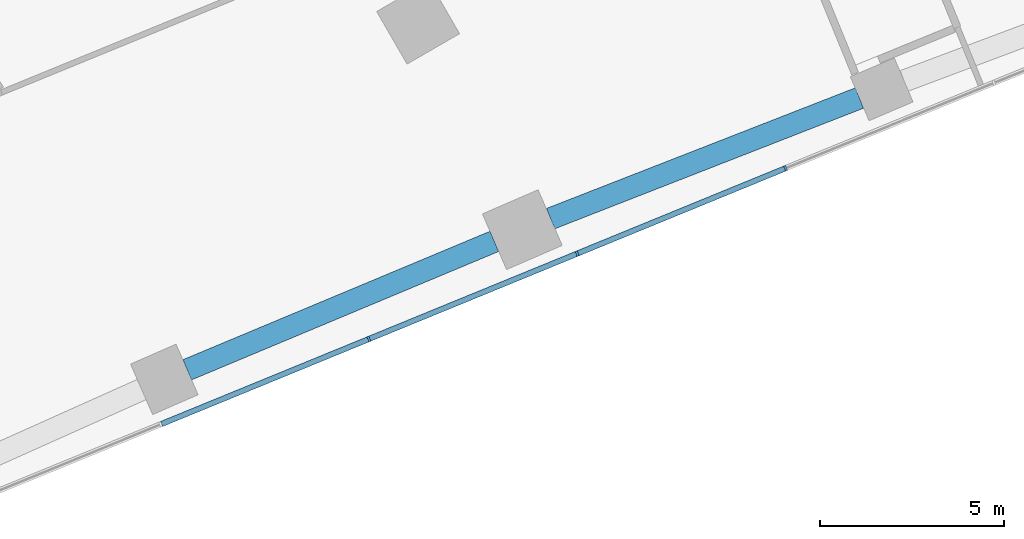
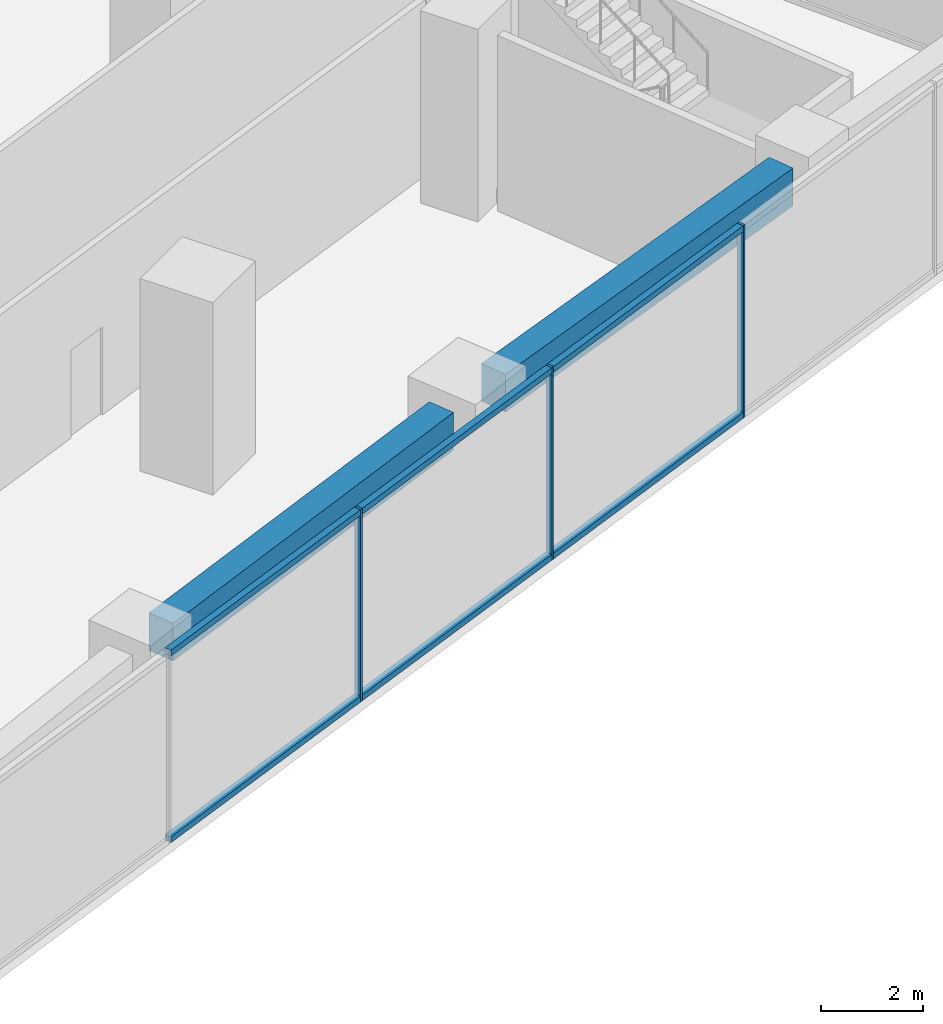
# One storey, part 10 of 39: 9 members, 2 beams, 1 element without a shape of its own.
"""IFC4 building model written with IfcOpenShell, lengths in metres."""

import ifcopenshell
import ifcopenshell.guid

model = None  # the IFC model being written
_history = None  # IfcOwnerHistory: only IFC2X3 demands one
_inside = {}  # id of a spatial element -> (the spatial element, [elements in it])
_under = {}  # id of a project, library or spatial element -> (it, [spatial elements below it])
_declared = {}  # id of a project -> (the project, [libraries it declares])
_typed = {}  # id of a type object -> (the type object, [elements of that type])
_made_of = {}  # id of a material, layer set ... -> (it, [elements and type objects made of it])


def new_model(schema):
    """Start an empty IFC model of exactly this schema.

    Asked for "IFC4X3", IfcOpenShell would pick the latest addendum, in which some entities
    have other attributes; the version numbers below select the first issue.
    IFC2X3 requires an IfcOwnerHistory on every rooted entity: one is made here for all.
    """
    global model, _history
    if schema == "IFC4X3":
        model = ifcopenshell.file(schema_version=(4, 3, 0, 0))
    else:
        model = ifcopenshell.file(schema=schema)
    _inside.clear()
    _under.clear()
    _declared.clear()
    _typed.clear()
    _made_of.clear()
    _history = None
    if model.schema == "IFC2X3":
        org = make("IfcOrganization", Name="unknown")
        user = make(
            "IfcPersonAndOrganization",
            ThePerson=make("IfcPerson", FamilyName="unknown"),
            TheOrganization=org,
        )
        app = make(
            "IfcApplication",
            ApplicationDeveloper=org,
            Version="unknown",
            ApplicationFullName="unknown",
            ApplicationIdentifier="unknown",
        )
        _history = make(
            "IfcOwnerHistory",
            OwningUser=user,
            OwningApplication=app,
            ChangeAction="ADDED",
            CreationDate=0,
        )
    return model


def make(cls, **values):
    """One entity of the class cls with the attributes given. An attribute that is None is left unset."""
    return model.create_entity(
        cls, **{name: value for name, value in values.items() if value is not None}
    )


def rooted(cls, **values):
    """An entity with a GlobalId (a new one), such as an element, a storey or a relation."""
    return make(cls, GlobalId=ifcopenshell.guid.new(), OwnerHistory=_history, **values)


def si_unit(unit_type, name, prefix=None):
    """IfcSIUnit, for example si_unit("LENGTHUNIT", "METRE", prefix="MILLI")."""
    return make("IfcSIUnit", UnitType=unit_type, Prefix=prefix, Name=name)


def assignment(units):
    """IfcUnitAssignment: the units of a project."""
    return None if units is None else make("IfcUnitAssignment", Units=units)


def point(xyz):
    """IfcCartesianPoint."""
    return None if xyz is None else make("IfcCartesianPoint", Coordinates=xyz)


def direction(xyz):
    """IfcDirection."""
    return None if xyz is None else make("IfcDirection", DirectionRatios=xyz)


def frame(location, z_axis=None, x_axis=None):
    """IfcAxis2Placement3D, a coordinate frame: its origin and axes. An axis left out is left unset."""
    return make(
        "IfcAxis2Placement3D",
        Location=point(location),
        Axis=direction(z_axis),
        RefDirection=direction(x_axis),
    )


def frame_2d(location, x_axis=None):
    """IfcAxis2Placement2D, a coordinate frame in the plane: its origin and x axis."""
    return make(
        "IfcAxis2Placement2D", Location=point(location), RefDirection=direction(x_axis)
    )


def origin():
    """The frame at (0, 0, 0) with its axes left unset."""
    return frame((0.0, 0.0, 0.0))


def origin_2d():
    """The frame at (0, 0) in the plane with its x axis left unset."""
    return frame_2d((0.0, 0.0))


def place(relative_to, where):
    """IfcLocalPlacement: puts the frame where relative to a parent placement (None: the world)."""
    return make(
        "IfcLocalPlacement", PlacementRelTo=relative_to, RelativePlacement=where
    )


def context(
    kind, dimensions, precision=None, world=None, true_north=None, identifier=None
):
    """IfcGeometricRepresentationContext, for example the 3D "Model" context."""
    return make(
        "IfcGeometricRepresentationContext",
        ContextIdentifier=identifier,
        ContextType=kind,
        CoordinateSpaceDimension=dimensions,
        Precision=precision,
        WorldCoordinateSystem=world,
        TrueNorth=true_north,
    )


def subcontext(parent, identifier, kind, view, scale=None):
    """IfcGeometricRepresentationSubContext, for example "Body" below "Model"."""
    return make(
        "IfcGeometricRepresentationSubContext",
        ContextIdentifier=identifier,
        ContextType=kind,
        ParentContext=parent,
        TargetScale=scale,
        TargetView=view,
    )


def project(units=None, contexts=None):
    """IfcProject with its units and contexts."""
    return rooted(
        "IfcProject",
        Name="project",
        RepresentationContexts=contexts,
        UnitsInContext=assignment(units),
    )


def spatial(cls, under=None, at=None, **own):
    """A site, building, storey or space (cls), placed at a placement, below another one or the project."""
    s = rooted(cls, ObjectPlacement=at, **own)
    if under is not None:
        _under.setdefault(under.id(), (under, []))[1].append(s)
    return s


def profile(cls, at=None, kind="AREA", **sizes):
    """A parametric profile (cls). Its sizes go by their IFC names, for example OverallWidth=200.0."""
    return make(cls, ProfileType=kind, Position=at, **sizes)


def rectangle(**sizes):
    """IfcRectangleProfileDef."""
    return profile("IfcRectangleProfileDef", **sizes)


def extrude(swept, where, along, depth):
    """IfcExtrudedAreaSolid: the profile swept, set in the frame where, extruded along a direction by depth."""
    return make(
        "IfcExtrudedAreaSolid",
        SweptArea=swept,
        Position=where,
        ExtrudedDirection=direction(along),
        Depth=depth,
    )


def shape(context_of_items, identifier, shape_type, items):
    """IfcShapeRepresentation: the items that make up one representation, for example the "Body"."""
    return make(
        "IfcShapeRepresentation",
        ContextOfItems=context_of_items,
        RepresentationIdentifier=identifier,
        RepresentationType=shape_type,
        Items=items,
    )


def material(Name=None, Category=None):
    """IfcMaterial."""
    return make("IfcMaterial", Name=Name, Category=Category)


def layer(
    of_material, thickness, ventilated=None, Name=None, Category=None, Priority=None
):
    """IfcMaterialLayer: one layer of a wall or slab, of a material (None: an air gap)."""
    return make(
        "IfcMaterialLayer",
        Material=of_material,
        LayerThickness=thickness,
        IsVentilated=ventilated,
        Name=Name,
        Category=Category,
        Priority=Priority,
    )


def layer_set(layers, Name=None):
    """IfcMaterialLayerSet."""
    return make("IfcMaterialLayerSet", MaterialLayers=layers, LayerSetName=Name)


def material_profile(
    of_material, cross_section, Name=None, Category=None, Priority=None
):
    """IfcMaterialProfile: a cross section and its material."""
    return make(
        "IfcMaterialProfile",
        Name=Name,
        Material=of_material,
        Profile=cross_section,
        Priority=Priority,
        Category=Category,
    )


def profile_set(profiles, Name=None, composite=None):
    """IfcMaterialProfileSet."""
    return make(
        "IfcMaterialProfileSet",
        Name=Name,
        MaterialProfiles=profiles,
        CompositeProfile=composite,
    )


def made_of(thing, what):
    """Note that an element or type object is made of a material, layer set ...; save() writes the relation."""
    if what is not None:
        _made_of.setdefault(what.id(), (what, []))[1].append(thing)
    return thing


def type_object(cls, material=None, **own):
    """A type object (cls), such as IfcWallType, which elements share."""
    return made_of(rooted(cls, **own), material)


def element(
    cls,
    number,
    at=None,
    inside=None,
    cuts=None,
    type_object=None,
    material=None,
    context=None,
    identifier="Body",
    shape_type=None,
    held_by="IfcProductDefinitionShape",
    body=None,
    shapes=None,
    **own,
):
    """One element of the class cls, such as IfcWall. Its Tag is "e" and its number.

    at: its placement. inside: the storey or other place that contains it. cuts: it is an
    opening in that element (IfcRelVoidsElement). A single representation is given by context,
    identifier, shape_type and body (its items); several are given by shapes. held_by: the class
    of the entity that holds the representations. save() writes the other relations.
    """
    e = rooted(cls, Tag="e%d" % number, ObjectPlacement=at, **own)
    if body is not None:
        shapes = [shape(context, identifier, shape_type, body)]
    if shapes is not None:
        e.Representation = make(held_by, Representations=shapes)
    if inside is not None:
        _inside.setdefault(inside.id(), (inside, []))[1].append(e)
    if cuts is not None:
        rooted(
            "IfcRelVoidsElement", RelatingBuildingElement=cuts, RelatedOpeningElement=e
        )
    if type_object is not None:
        _typed.setdefault(type_object.id(), (type_object, []))[1].append(e)
    return made_of(e, material)


def aggregate(whole, parts):
    """IfcRelAggregates: a whole, such as a stair, and the parts it consists of."""
    return rooted("IfcRelAggregates", RelatingObject=whole, RelatedObjects=parts)


def save(model, path):
    """Write the relations noted so far, then the file.

    IfcRelAggregates (storeys below a building ...), IfcRelContainedInSpatialStructure (elements
    in a storey), IfcRelDefinesByType, IfcRelAssociatesMaterial and IfcRelDeclares: one each for
    every whole, place, type object, material and project.
    """
    for whole, parts in _under.values():
        aggregate(whole, parts)
    for where, things in _inside.values():
        rooted(
            "IfcRelContainedInSpatialStructure",
            RelatedElements=things,
            RelatingStructure=where,
        )
    for kind, things in _typed.values():
        rooted("IfcRelDefinesByType", RelatedObjects=things, RelatingType=kind)
    for what, things in _made_of.values():
        rooted("IfcRelAssociatesMaterial", RelatedObjects=things, RelatingMaterial=what)
    for by, libraries in _declared.values():
        rooted("IfcRelDeclares", RelatingContext=by, RelatedDefinitions=libraries)
    model.write(path)


model = new_model("IFC4")

# Units and contexts
model_context = context("Model", 3, precision=1e-05, world=origin(), true_north=direction((0.0, 1.0)))
body_context = subcontext(model_context, "Body", "Model", "MODEL_VIEW")
ifc_project = project(units=[si_unit("LENGTHUNIT", "METRE"), si_unit("AREAUNIT", "SQUARE_METRE"), si_unit("VOLUMEUNIT", "CUBIC_METRE"), si_unit("PLANEANGLEUNIT", "RADIAN"), si_unit("MASSUNIT", "GRAM", prefix="KILO")], contexts=[model_context])

# Site, building, storey
site_placement = place(None, origin())
site = spatial("IfcSite", under=ifc_project, at=site_placement, CompositionType="ELEMENT")
building_placement = place(site_placement, origin())
building = spatial("IfcBuilding", under=site, at=building_placement, Name="Stone Belt Terrace Tower", CompositionType="ELEMENT")
storey_placement = place(building_placement, frame((0.0, 0.0, 16.199951171875)))
storey = spatial("IfcBuildingStorey", under=building, at=storey_placement, Name="L03", CompositionType="ELEMENT", Elevation=16.199951171875)

# Curtain wall, members
ifc_material_1 = material(Name="Aluminium 6063-T6 anodised frame", Category="aluminium")
ifc_layer = layer(ifc_material_1, 0.14990234375)
ifc_layer_set = layer_set([ifc_layer], Name="CW-D podium shopfront")
curtain_wall_type = type_object("IfcCurtainWallType", Name="CW-D podium shopfront", PredefinedType="NOTDEFINED", material=ifc_layer_set)
curtain_wall_placement = place(storey_placement, origin())
curtain_wall = element("IfcCurtainWall", 1, at=curtain_wall_placement, inside=storey, type_object=curtain_wall_type, Name="CW-D end face L03", PredefinedType="NOTDEFINED")
ifc_material_profile_1 = material_profile(ifc_material_1, rectangle(XDim=0.14990234375, YDim=0.06005859375, at=origin_2d()), Name="Aluminium 6063-T6 60x150")
ifc_profile_set_1 = profile_set([ifc_material_profile_1], Name="Aluminium 6063-T6 anodised frame")
member_type_1 = type_object("IfcMemberType", Name="CW-D mullion 60 x 150", PredefinedType="MULLION", material=ifc_profile_set_1)
member_1_placement = place(storey_placement, frame((46.293212890625, 18.892822265625, 0.0), z_axis=(0.0, 0.0, 1.0), x_axis=(-0.379243093825, 0.925297074342, 0.0)))
member_1 = element("IfcMember", 2, at=member_1_placement, type_object=member_type_1, Name="CW-D mullion 5", PredefinedType="MULLION", context=body_context, shape_type="SweptSolid", body=[
    extrude(rectangle(XDim=0.14990234375, YDim=0.06005859375, at=origin_2d()), origin(), (0.0, 0.0, 1.0), 4.60009765625),
])
member_2_placement = place(storey_placement, frame((51.960693359375, 21.215576171875, 0.0), z_axis=(0.0, 0.0, 1.0), x_axis=(-0.379243093825, 0.925297074342, 0.0)))
member_2 = element("IfcMember", 3, at=member_2_placement, type_object=member_type_1, Name="CW-D mullion 6", PredefinedType="MULLION", context=body_context, shape_type="SweptSolid", body=[
    extrude(rectangle(XDim=0.14990234375, YDim=0.06005859375, at=origin_2d()), origin(), (0.0, 0.0, 1.0), 4.60009765625),
])
member_3_placement = place(storey_placement, frame((57.628173828125, 23.53857421875, 0.0), z_axis=(0.0, 0.0, 1.0), x_axis=(-0.379243093825, 0.925297074342, 0.0)))
member_3 = element("IfcMember", 4, at=member_3_placement, type_object=member_type_1, Name="CW-D mullion 7", PredefinedType="MULLION", context=body_context, shape_type="SweptSolid", body=[
    extrude(rectangle(XDim=0.14990234375, YDim=0.06005859375, at=origin_2d()), origin(), (0.0, 0.0, 1.0), 4.60009765625),
])
ifc_material_profile_2 = material_profile(ifc_material_1, rectangle(XDim=0.14990234375, YDim=0.139892578125, at=origin_2d()), Name="Aluminium 6063-T6 150x140")
ifc_profile_set_2 = profile_set([ifc_material_profile_2], Name="Aluminium 6063-T6 anodised frame")
member_type_2 = type_object("IfcMemberType", Name="CW-D transom 140 x 150", PredefinedType="USERDEFINED", material=ifc_profile_set_2)
member_4_placement = place(storey_placement, frame((40.653564453125, 16.581298828125, 0.070068359375), z_axis=(0.92530374933, 0.379226807432, 0.0), x_axis=(-0.379226807432, 0.92530374933, 0.0)))
member_4 = element("IfcMember", 5, at=member_4_placement, type_object=member_type_2, Name="CW-D transom 4.1", ObjectType="TRANSOM", PredefinedType="USERDEFINED", context=body_context, shape_type="SweptSolid", body=[
    extrude(rectangle(XDim=0.14990234375, YDim=0.139892578125, at=origin_2d()), origin(), (0.0, 0.0, 1.0), 6.065185546875),
])
member_5_placement = place(storey_placement, frame((40.653564453125, 16.581298828125, 4.530029296875), z_axis=(0.92530374933, 0.379226807432, 0.0), x_axis=(-0.379226807432, 0.92530374933, 0.0)))
member_5 = element("IfcMember", 6, at=member_5_placement, type_object=member_type_2, Name="CW-D transom 4.2", ObjectType="TRANSOM", PredefinedType="USERDEFINED", context=body_context, shape_type="SweptSolid", body=[
    extrude(rectangle(XDim=0.14990234375, YDim=0.139892578125, at=origin_2d()), origin(), (0.0, 0.0, 1.0), 6.065185546875),
])
member_6_placement = place(storey_placement, frame((46.321044921875, 18.904052734375, 0.070068359375), z_axis=(0.925283833763, 0.379275397273, 0.0), x_axis=(-0.379275397273, 0.925283833763, 0.0)))
member_6 = element("IfcMember", 7, at=member_6_placement, type_object=member_type_2, Name="CW-D transom 5.1", ObjectType="TRANSOM", PredefinedType="USERDEFINED", context=body_context, shape_type="SweptSolid", body=[
    extrude(rectangle(XDim=0.14990234375, YDim=0.139892578125, at=origin_2d()), origin(), (0.0, 0.0, 1.0), 6.06494140625),
])
member_7_placement = place(storey_placement, frame((46.321044921875, 18.904052734375, 4.530029296875), z_axis=(0.925283833763, 0.379275397273, 0.0), x_axis=(-0.379275397273, 0.925283833763, 0.0)))
member_7 = element("IfcMember", 8, at=member_7_placement, type_object=member_type_2, Name="CW-D transom 5.2", ObjectType="TRANSOM", PredefinedType="USERDEFINED", context=body_context, shape_type="SweptSolid", body=[
    extrude(rectangle(XDim=0.14990234375, YDim=0.139892578125, at=origin_2d()), origin(), (0.0, 0.0, 1.0), 6.06494140625),
])
member_8_placement = place(storey_placement, frame((51.988525390625, 21.22705078125, 0.070068359375), z_axis=(0.925297960053, 0.379240932814, 0.0), x_axis=(-0.379240932814, 0.925297960053, 0.0)))
member_8 = element("IfcMember", 9, at=member_8_placement, type_object=member_type_2, Name="CW-D transom 6.1", ObjectType="TRANSOM", PredefinedType="USERDEFINED", context=body_context, shape_type="SweptSolid", body=[
    extrude(rectangle(XDim=0.14990234375, YDim=0.139892578125, at=origin_2d()), origin(), (0.0, 0.0, 1.0), 6.06494140625),
])
member_9_placement = place(storey_placement, frame((51.988525390625, 21.22705078125, 4.530029296875), z_axis=(0.925297960053, 0.379240932814, 0.0), x_axis=(-0.379240932814, 0.925297960053, 0.0)))
member_9 = element("IfcMember", 10, at=member_9_placement, type_object=member_type_2, Name="CW-D transom 6.2", ObjectType="TRANSOM", PredefinedType="USERDEFINED", context=body_context, shape_type="SweptSolid", body=[
    extrude(rectangle(XDim=0.14990234375, YDim=0.139892578125, at=origin_2d()), origin(), (0.0, 0.0, 1.0), 6.06494140625),
])
aggregate(curtain_wall, [member_1, member_2, member_3, member_4, member_5, member_6, member_7, member_8, member_9])

# Beams
ifc_material_2 = material(Name="Concrete B60", Category="concrete")
ifc_material_profile_3 = material_profile(ifc_material_2, rectangle(XDim=0.60009765625, YDim=0.89990234375, at=origin_2d()), Name="RC 600x900")
ifc_profile_set_3 = profile_set([ifc_material_profile_3], Name="Concrete B60")
beam_type = type_object("IfcBeamType", Name="Edge beam RC 600x900 B60", PredefinedType="SPANDREL", material=ifc_profile_set_3)
beam_1_placement = place(storey_placement, frame((41.35009765625, 18.05517578125, 3.75), z_axis=(0.922576038767, 0.385815309044, 0.0), x_axis=(-0.385815309044, 0.922576038767, 0.0)))
element("IfcBeam", 11, at=beam_1_placement, inside=storey, type_object=beam_type, Name="Edge beam L03 B P to Q", PredefinedType="SPANDREL", context=body_context, shape_type="SweptSolid", body=[
    extrude(rectangle(XDim=0.60009765625, YDim=0.89990234375, at=origin_2d()), origin(), (0.0, 0.0, 1.0), 9.055908203125),
])
beam_2_placement = place(storey_placement, frame((51.235107421875, 22.167724609375, 3.75), z_axis=(0.931488596429, 0.363770524813, 0.0), x_axis=(-0.363770524813, 0.931488596429, 0.0)))
element("IfcBeam", 12, at=beam_2_placement, inside=storey, type_object=beam_type, Name="Edge beam L03 B Q to R", PredefinedType="SPANDREL", context=body_context, shape_type="SweptSolid", body=[
    extrude(rectangle(XDim=0.60009765625, YDim=0.89990234375, at=origin_2d()), origin(), (0.0, 0.0, 1.0), 9.018798828125),
])

save(model, "model.ifc")
